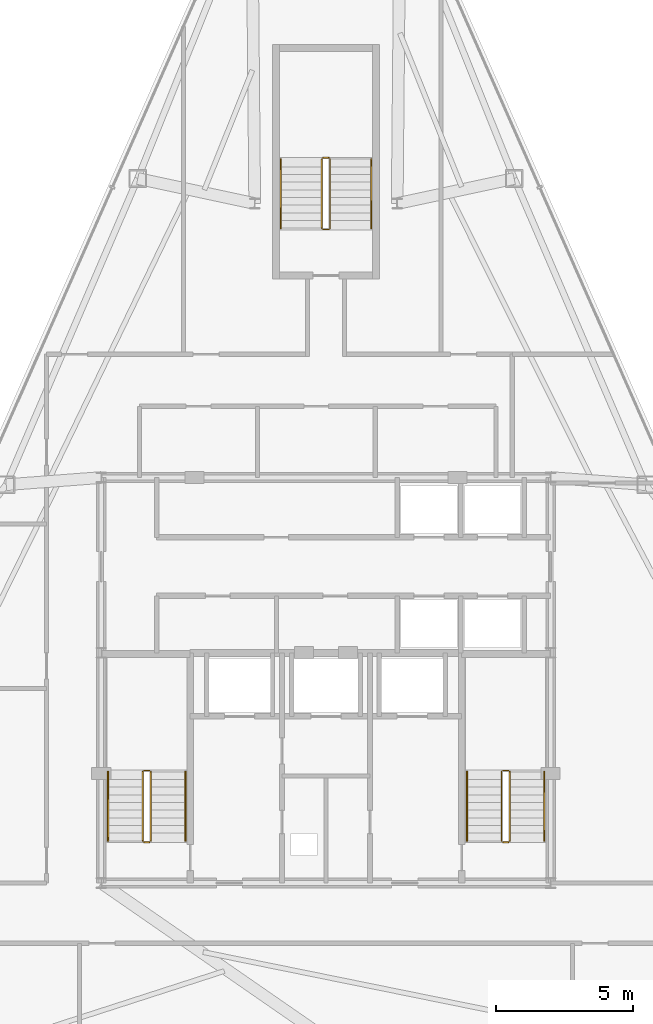
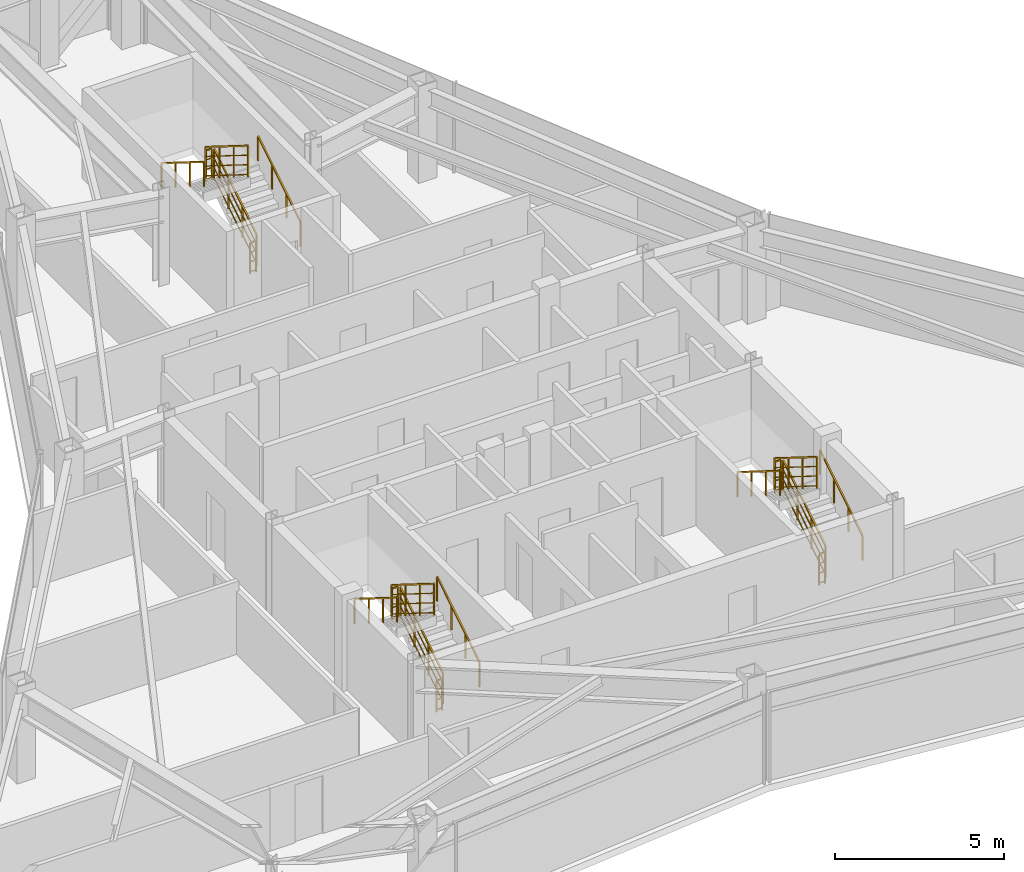
# One storey, part 12 of 12: 18 railings.
"""IFC4 building model written with IfcOpenShell, lengths in metres."""

from ifc_helpers import new_model, si_unit, direction, frame, origin, origin_2d, place, context, subcontext, project, spatial, rectangle, extrude, material, type_object, element, save


model = new_model("IFC4")

# Units and contexts
model_context = context("Model", 3, precision=1e-05, world=origin(), true_north=direction((0.0, 1.0)))
body_context = subcontext(model_context, "Body", "Model", "MODEL_VIEW")
ifc_project = project(units=[si_unit("LENGTHUNIT", "METRE"), si_unit("AREAUNIT", "SQUARE_METRE"), si_unit("VOLUMEUNIT", "CUBIC_METRE"), si_unit("PLANEANGLEUNIT", "RADIAN"), si_unit("MASSUNIT", "GRAM", prefix="KILO")], contexts=[model_context])

# Site, building, storey
site_placement = place(None, origin())
site = spatial("IfcSite", under=ifc_project, at=site_placement, CompositionType="ELEMENT")
building_placement = place(site_placement, origin())
building = spatial("IfcBuilding", under=site, at=building_placement, Name="Varakhsha Concourse Tower", CompositionType="ELEMENT")
storey_placement = place(building_placement, frame((0.0, 0.0, 272.5)))
storey = spatial("IfcBuildingStorey", under=building, at=storey_placement, Name="L77", CompositionType="ELEMENT", Elevation=272.5)

# Railings
ifc_material = material(Name="Brushed Austenitic Stainless Steel AISI 316", Category="steel")
railing_type_1 = type_object("IfcRailingType", Name="RL-STAIR-GUARD-1100", PredefinedType="GUARDRAIL", material=ifc_material)
railing_1_placement = place(storey_placement, frame((33.610107421875, 17.93994140625, 0.175048828125)))
element("IfcRailing", 1, at=railing_1_placement, inside=storey, type_object=railing_type_1, Name="L77 ST1 stair guard 1", PredefinedType="GUARDRAIL", context=body_context, shape_type="SweptSolid", body=[
    extrude(rectangle(XDim=0.048095703125, YDim=0.048095703125, at=origin_2d()), frame((0.0, 0.0, 1.1259765625), z_axis=(0.0, 0.848007534815, 0.529984170421), x_axis=(-1.0, 0.0, 0.0)), (0.0, 0.0, 1.0), 2.9716796875),
    extrude(rectangle(XDim=0.028076171875, YDim=0.028076171875, at=origin_2d()), frame((0.0, 0.0, 0.080078125), z_axis=(0.0, 0.848007534815, 0.529984170421), x_axis=(-1.0, 0.0, 0.0)), (0.0, 0.0, 1.0), 2.9716796875),
    extrude(rectangle(XDim=0.028076171875, YDim=0.028076171875, at=origin_2d()), frame((0.0, 0.0, 0.43701171875), z_axis=(0.0, 0.848007534815, 0.529984170421), x_axis=(-1.0, 0.0, 0.0)), (0.0, 0.0, 1.0), 2.9716796875),
    extrude(rectangle(XDim=0.028076171875, YDim=0.028076171875, at=origin_2d()), frame((0.0, 0.0, 0.781982421875), z_axis=(0.0, 0.848007534815, 0.529984170421), x_axis=(-1.0, 0.0, 0.0)), (0.0, 0.0, 1.0), 2.9716796875),
    extrude(rectangle(XDim=0.0419921875, YDim=0.0419921875, at=origin_2d()), origin(), (0.0, 0.0, 1.0), 1.101806640625),
    extrude(rectangle(XDim=0.0419921875, YDim=0.0419921875, at=origin_2d()), frame((0.0, 0.840087890625, 0.52490234375)), (0.0, 0.0, 1.0), 1.101806640625),
    extrude(rectangle(XDim=0.0419921875, YDim=0.0419921875, at=origin_2d()), frame((0.0, 1.679931640625, 1.050048828125)), (0.0, 0.0, 1.0), 1.101806640625),
    extrude(rectangle(XDim=0.0419921875, YDim=0.0419921875, at=origin_2d()), frame((0.0, 2.52001953125, 1.574951171875)), (0.0, 0.0, 1.0), 1.101806640625),
])
railing_2_placement = place(storey_placement, frame((33.56005859375, 20.510009765625, 1.75)))
element("IfcRailing", 2, at=railing_2_placement, inside=storey, type_object=railing_type_1, Name="L77 ST1 stair guard 2", PredefinedType="GUARDRAIL", context=body_context, shape_type="SweptSolid", body=[
    extrude(rectangle(XDim=0.048095703125, YDim=0.048095703125, at=origin_2d()), frame((0.0, 0.0, 1.1259765625), z_axis=(-1.0, 0.0, 0.0), x_axis=(0.0, -1.0, 0.0)), (0.0, 0.0, 1.0), 0.199951171875),
    extrude(rectangle(XDim=0.028076171875, YDim=0.028076171875, at=origin_2d()), frame((0.0, 0.0, 0.080078125), z_axis=(-1.0, 0.0, 0.0), x_axis=(0.0, -1.0, 0.0)), (0.0, 0.0, 1.0), 0.199951171875),
    extrude(rectangle(XDim=0.028076171875, YDim=0.028076171875, at=origin_2d()), frame((0.0, 0.0, 0.43701171875), z_axis=(-1.0, 0.0, 0.0), x_axis=(0.0, -1.0, 0.0)), (0.0, 0.0, 1.0), 0.199951171875),
    extrude(rectangle(XDim=0.028076171875, YDim=0.028076171875, at=origin_2d()), frame((0.0, 0.0, 0.781982421875), z_axis=(-1.0, 0.0, 0.0), x_axis=(0.0, -1.0, 0.0)), (0.0, 0.0, 1.0), 0.199951171875),
    extrude(rectangle(XDim=0.0419921875, YDim=0.0419921875, at=origin_2d()), origin(), (0.0, 0.0, 1.0), 1.101806640625),
    extrude(rectangle(XDim=0.0419921875, YDim=0.0419921875, at=origin_2d()), frame((-0.199951171875, 0.0, 0.0)), (0.0, 0.0, 1.0), 1.101806640625),
])
railing_3_placement = place(storey_placement, frame((33.31005859375, 20.4599609375, 1.925048828125)))
element("IfcRailing", 3, at=railing_3_placement, inside=storey, type_object=railing_type_1, Name="L77 ST1 stair guard 3", PredefinedType="GUARDRAIL", context=body_context, shape_type="SweptSolid", body=[
    extrude(rectangle(XDim=0.048095703125, YDim=0.048095703125, at=origin_2d()), frame((0.0, 0.0, 1.1259765625), z_axis=(0.0, -0.848007534815, 0.529984170421), x_axis=(1.0, 0.0, 0.0)), (0.0, 0.0, 1.0), 2.9716796875),
    extrude(rectangle(XDim=0.028076171875, YDim=0.028076171875, at=origin_2d()), frame((0.0, 0.0, 0.080078125), z_axis=(0.0, -0.848007534815, 0.529984170421), x_axis=(1.0, 0.0, 0.0)), (0.0, 0.0, 1.0), 2.9716796875),
    extrude(rectangle(XDim=0.028076171875, YDim=0.028076171875, at=origin_2d()), frame((0.0, 0.0, 0.43701171875), z_axis=(0.0, -0.848007534815, 0.529984170421), x_axis=(1.0, 0.0, 0.0)), (0.0, 0.0, 1.0), 2.9716796875),
    extrude(rectangle(XDim=0.028076171875, YDim=0.028076171875, at=origin_2d()), frame((0.0, 0.0, 0.781982421875), z_axis=(0.0, -0.848007534815, 0.529984170421), x_axis=(1.0, 0.0, 0.0)), (0.0, 0.0, 1.0), 2.9716796875),
    extrude(rectangle(XDim=0.0419921875, YDim=0.0419921875, at=origin_2d()), origin(), (0.0, 0.0, 1.0), 1.101806640625),
    extrude(rectangle(XDim=0.0419921875, YDim=0.0419921875, at=origin_2d()), frame((0.0, -0.840087890625, 0.52490234375)), (0.0, 0.0, 1.0), 1.101806640625),
    extrude(rectangle(XDim=0.0419921875, YDim=0.0419921875, at=origin_2d()), frame((0.0, -1.679931640625, 1.050048828125)), (0.0, 0.0, 1.0), 1.101806640625),
    extrude(rectangle(XDim=0.0419921875, YDim=0.0419921875, at=origin_2d()), frame((0.0, -2.52001953125, 1.574951171875)), (0.0, 0.0, 1.0), 1.101806640625),
])
railing_4_placement = place(storey_placement, frame((33.56005859375, 17.889892578125, 0.0)))
element("IfcRailing", 4, at=railing_4_placement, inside=storey, type_object=railing_type_1, Name="L77 ST1 stair guard 4", PredefinedType="GUARDRAIL", context=body_context, shape_type="SweptSolid", body=[
    extrude(rectangle(XDim=0.048095703125, YDim=0.048095703125, at=origin_2d()), frame((0.0, 0.0, 1.1259765625), z_axis=(-1.0, 0.0, 0.0), x_axis=(0.0, -1.0, 0.0)), (0.0, 0.0, 1.0), 0.199951171875),
    extrude(rectangle(XDim=0.028076171875, YDim=0.028076171875, at=origin_2d()), frame((0.0, 0.0, 0.080078125), z_axis=(-1.0, 0.0, 0.0), x_axis=(0.0, -1.0, 0.0)), (0.0, 0.0, 1.0), 0.199951171875),
    extrude(rectangle(XDim=0.028076171875, YDim=0.028076171875, at=origin_2d()), frame((0.0, 0.0, 0.43701171875), z_axis=(-1.0, 0.0, 0.0), x_axis=(0.0, -1.0, 0.0)), (0.0, 0.0, 1.0), 0.199951171875),
    extrude(rectangle(XDim=0.028076171875, YDim=0.028076171875, at=origin_2d()), frame((0.0, 0.0, 0.781982421875), z_axis=(-1.0, 0.0, 0.0), x_axis=(0.0, -1.0, 0.0)), (0.0, 0.0, 1.0), 0.199951171875),
    extrude(rectangle(XDim=0.0419921875, YDim=0.0419921875, at=origin_2d()), origin(), (0.0, 0.0, 1.0), 1.101806640625),
    extrude(rectangle(XDim=0.0419921875, YDim=0.0419921875, at=origin_2d()), frame((-0.199951171875, 0.0, 0.0)), (0.0, 0.0, 1.0), 1.101806640625),
])
railing_5_placement = place(storey_placement, frame((46.7099609375, 17.93994140625, 0.175048828125)))
element("IfcRailing", 5, at=railing_5_placement, inside=storey, type_object=railing_type_1, Name="L77 ST2 stair guard 1", PredefinedType="GUARDRAIL", context=body_context, shape_type="SweptSolid", body=[
    extrude(rectangle(XDim=0.048095703125, YDim=0.048095703125, at=origin_2d()), frame((0.0, 0.0, 1.1259765625), z_axis=(0.0, 0.848007534815, 0.529984170421), x_axis=(-1.0, 0.0, 0.0)), (0.0, 0.0, 1.0), 2.9716796875),
    extrude(rectangle(XDim=0.028076171875, YDim=0.028076171875, at=origin_2d()), frame((0.0, 0.0, 0.080078125), z_axis=(0.0, 0.848007534815, 0.529984170421), x_axis=(-1.0, 0.0, 0.0)), (0.0, 0.0, 1.0), 2.9716796875),
    extrude(rectangle(XDim=0.028076171875, YDim=0.028076171875, at=origin_2d()), frame((0.0, 0.0, 0.43701171875), z_axis=(0.0, 0.848007534815, 0.529984170421), x_axis=(-1.0, 0.0, 0.0)), (0.0, 0.0, 1.0), 2.9716796875),
    extrude(rectangle(XDim=0.028076171875, YDim=0.028076171875, at=origin_2d()), frame((0.0, 0.0, 0.781982421875), z_axis=(0.0, 0.848007534815, 0.529984170421), x_axis=(-1.0, 0.0, 0.0)), (0.0, 0.0, 1.0), 2.9716796875),
    extrude(rectangle(XDim=0.0419921875, YDim=0.0419921875, at=origin_2d()), origin(), (0.0, 0.0, 1.0), 1.101806640625),
    extrude(rectangle(XDim=0.0419921875, YDim=0.0419921875, at=origin_2d()), frame((0.0, 0.840087890625, 0.52490234375)), (0.0, 0.0, 1.0), 1.101806640625),
    extrude(rectangle(XDim=0.0419921875, YDim=0.0419921875, at=origin_2d()), frame((0.0, 1.679931640625, 1.050048828125)), (0.0, 0.0, 1.0), 1.101806640625),
    extrude(rectangle(XDim=0.0419921875, YDim=0.0419921875, at=origin_2d()), frame((0.0, 2.52001953125, 1.574951171875)), (0.0, 0.0, 1.0), 1.101806640625),
])
railing_6_placement = place(storey_placement, frame((46.659912109375, 20.510009765625, 1.75)))
element("IfcRailing", 6, at=railing_6_placement, inside=storey, type_object=railing_type_1, Name="L77 ST2 stair guard 2", PredefinedType="GUARDRAIL", context=body_context, shape_type="SweptSolid", body=[
    extrude(rectangle(XDim=0.048095703125, YDim=0.048095703125, at=origin_2d()), frame((0.0, 0.0, 1.1259765625), z_axis=(-1.0, 0.0, 0.0), x_axis=(0.0, -1.0, 0.0)), (0.0, 0.0, 1.0), 0.199951171875),
    extrude(rectangle(XDim=0.028076171875, YDim=0.028076171875, at=origin_2d()), frame((0.0, 0.0, 0.080078125), z_axis=(-1.0, 0.0, 0.0), x_axis=(0.0, -1.0, 0.0)), (0.0, 0.0, 1.0), 0.199951171875),
    extrude(rectangle(XDim=0.028076171875, YDim=0.028076171875, at=origin_2d()), frame((0.0, 0.0, 0.43701171875), z_axis=(-1.0, 0.0, 0.0), x_axis=(0.0, -1.0, 0.0)), (0.0, 0.0, 1.0), 0.199951171875),
    extrude(rectangle(XDim=0.028076171875, YDim=0.028076171875, at=origin_2d()), frame((0.0, 0.0, 0.781982421875), z_axis=(-1.0, 0.0, 0.0), x_axis=(0.0, -1.0, 0.0)), (0.0, 0.0, 1.0), 0.199951171875),
    extrude(rectangle(XDim=0.0419921875, YDim=0.0419921875, at=origin_2d()), origin(), (0.0, 0.0, 1.0), 1.101806640625),
    extrude(rectangle(XDim=0.0419921875, YDim=0.0419921875, at=origin_2d()), frame((-0.199951171875, 0.0, 0.0)), (0.0, 0.0, 1.0), 1.101806640625),
])
railing_7_placement = place(storey_placement, frame((46.409912109375, 20.4599609375, 1.925048828125)))
element("IfcRailing", 7, at=railing_7_placement, inside=storey, type_object=railing_type_1, Name="L77 ST2 stair guard 3", PredefinedType="GUARDRAIL", context=body_context, shape_type="SweptSolid", body=[
    extrude(rectangle(XDim=0.048095703125, YDim=0.048095703125, at=origin_2d()), frame((0.0, 0.0, 1.1259765625), z_axis=(0.0, -0.848007534815, 0.529984170421), x_axis=(1.0, 0.0, 0.0)), (0.0, 0.0, 1.0), 2.9716796875),
    extrude(rectangle(XDim=0.028076171875, YDim=0.028076171875, at=origin_2d()), frame((0.0, 0.0, 0.080078125), z_axis=(0.0, -0.848007534815, 0.529984170421), x_axis=(1.0, 0.0, 0.0)), (0.0, 0.0, 1.0), 2.9716796875),
    extrude(rectangle(XDim=0.028076171875, YDim=0.028076171875, at=origin_2d()), frame((0.0, 0.0, 0.43701171875), z_axis=(0.0, -0.848007534815, 0.529984170421), x_axis=(1.0, 0.0, 0.0)), (0.0, 0.0, 1.0), 2.9716796875),
    extrude(rectangle(XDim=0.028076171875, YDim=0.028076171875, at=origin_2d()), frame((0.0, 0.0, 0.781982421875), z_axis=(0.0, -0.848007534815, 0.529984170421), x_axis=(1.0, 0.0, 0.0)), (0.0, 0.0, 1.0), 2.9716796875),
    extrude(rectangle(XDim=0.0419921875, YDim=0.0419921875, at=origin_2d()), origin(), (0.0, 0.0, 1.0), 1.101806640625),
    extrude(rectangle(XDim=0.0419921875, YDim=0.0419921875, at=origin_2d()), frame((0.0, -0.840087890625, 0.52490234375)), (0.0, 0.0, 1.0), 1.101806640625),
    extrude(rectangle(XDim=0.0419921875, YDim=0.0419921875, at=origin_2d()), frame((0.0, -1.679931640625, 1.050048828125)), (0.0, 0.0, 1.0), 1.101806640625),
    extrude(rectangle(XDim=0.0419921875, YDim=0.0419921875, at=origin_2d()), frame((0.0, -2.52001953125, 1.574951171875)), (0.0, 0.0, 1.0), 1.101806640625),
])
railing_8_placement = place(storey_placement, frame((46.659912109375, 17.889892578125, 0.0)))
element("IfcRailing", 8, at=railing_8_placement, inside=storey, type_object=railing_type_1, Name="L77 ST2 stair guard 4", PredefinedType="GUARDRAIL", context=body_context, shape_type="SweptSolid", body=[
    extrude(rectangle(XDim=0.048095703125, YDim=0.048095703125, at=origin_2d()), frame((0.0, 0.0, 1.1259765625), z_axis=(-1.0, 0.0, 0.0), x_axis=(0.0, -1.0, 0.0)), (0.0, 0.0, 1.0), 0.199951171875),
    extrude(rectangle(XDim=0.028076171875, YDim=0.028076171875, at=origin_2d()), frame((0.0, 0.0, 0.080078125), z_axis=(-1.0, 0.0, 0.0), x_axis=(0.0, -1.0, 0.0)), (0.0, 0.0, 1.0), 0.199951171875),
    extrude(rectangle(XDim=0.028076171875, YDim=0.028076171875, at=origin_2d()), frame((0.0, 0.0, 0.43701171875), z_axis=(-1.0, 0.0, 0.0), x_axis=(0.0, -1.0, 0.0)), (0.0, 0.0, 1.0), 0.199951171875),
    extrude(rectangle(XDim=0.028076171875, YDim=0.028076171875, at=origin_2d()), frame((0.0, 0.0, 0.781982421875), z_axis=(-1.0, 0.0, 0.0), x_axis=(0.0, -1.0, 0.0)), (0.0, 0.0, 1.0), 0.199951171875),
    extrude(rectangle(XDim=0.0419921875, YDim=0.0419921875, at=origin_2d()), origin(), (0.0, 0.0, 1.0), 1.101806640625),
    extrude(rectangle(XDim=0.0419921875, YDim=0.0419921875, at=origin_2d()), frame((-0.199951171875, 0.0, 0.0)), (0.0, 0.0, 1.0), 1.101806640625),
])
railing_9_placement = place(storey_placement, frame((40.14990234375, 40.300048828125, 0.175048828125)))
element("IfcRailing", 9, at=railing_9_placement, inside=storey, type_object=railing_type_1, Name="L77 ST5 stair guard 1", PredefinedType="GUARDRAIL", context=body_context, shape_type="SweptSolid", body=[
    extrude(rectangle(XDim=0.048095703125, YDim=0.048095703125, at=origin_2d()), frame((0.0, 0.0, 1.1259765625), z_axis=(0.0, 0.848007534815, 0.529984170421), x_axis=(-1.0, 0.0, 0.0)), (0.0, 0.0, 1.0), 2.9716796875),
    extrude(rectangle(XDim=0.028076171875, YDim=0.028076171875, at=origin_2d()), frame((0.0, 0.0, 0.080078125), z_axis=(0.0, 0.848007534815, 0.529984170421), x_axis=(-1.0, 0.0, 0.0)), (0.0, 0.0, 1.0), 2.9716796875),
    extrude(rectangle(XDim=0.028076171875, YDim=0.028076171875, at=origin_2d()), frame((0.0, 0.0, 0.43701171875), z_axis=(0.0, 0.848007534815, 0.529984170421), x_axis=(-1.0, 0.0, 0.0)), (0.0, 0.0, 1.0), 2.9716796875),
    extrude(rectangle(XDim=0.028076171875, YDim=0.028076171875, at=origin_2d()), frame((0.0, 0.0, 0.781982421875), z_axis=(0.0, 0.848007534815, 0.529984170421), x_axis=(-1.0, 0.0, 0.0)), (0.0, 0.0, 1.0), 2.9716796875),
    extrude(rectangle(XDim=0.0419921875, YDim=0.0419921875, at=origin_2d()), origin(), (0.0, 0.0, 1.0), 1.101806640625),
    extrude(rectangle(XDim=0.0419921875, YDim=0.0419921875, at=origin_2d()), frame((0.0, 0.840087890625, 0.52490234375)), (0.0, 0.0, 1.0), 1.101806640625),
    extrude(rectangle(XDim=0.0419921875, YDim=0.0419921875, at=origin_2d()), frame((0.0, 1.679931640625, 1.050048828125)), (0.0, 0.0, 1.0), 1.101806640625),
    extrude(rectangle(XDim=0.0419921875, YDim=0.0419921875, at=origin_2d()), frame((0.0, 2.52001953125, 1.574951171875)), (0.0, 0.0, 1.0), 1.101806640625),
])
railing_10_placement = place(storey_placement, frame((40.10009765625, 42.8701171875, 1.75)))
element("IfcRailing", 10, at=railing_10_placement, inside=storey, type_object=railing_type_1, Name="L77 ST5 stair guard 2", PredefinedType="GUARDRAIL", context=body_context, shape_type="SweptSolid", body=[
    extrude(rectangle(XDim=0.048095703125, YDim=0.048095703125, at=origin_2d()), frame((0.0, 0.0, 1.1259765625), z_axis=(-1.0, 0.0, 0.0), x_axis=(0.0, -1.0, 0.0)), (0.0, 0.0, 1.0), 0.2001953125),
    extrude(rectangle(XDim=0.028076171875, YDim=0.028076171875, at=origin_2d()), frame((0.0, 0.0, 0.080078125), z_axis=(-1.0, 0.0, 0.0), x_axis=(0.0, -1.0, 0.0)), (0.0, 0.0, 1.0), 0.2001953125),
    extrude(rectangle(XDim=0.028076171875, YDim=0.028076171875, at=origin_2d()), frame((0.0, 0.0, 0.43701171875), z_axis=(-1.0, 0.0, 0.0), x_axis=(0.0, -1.0, 0.0)), (0.0, 0.0, 1.0), 0.2001953125),
    extrude(rectangle(XDim=0.028076171875, YDim=0.028076171875, at=origin_2d()), frame((0.0, 0.0, 0.781982421875), z_axis=(-1.0, 0.0, 0.0), x_axis=(0.0, -1.0, 0.0)), (0.0, 0.0, 1.0), 0.2001953125),
    extrude(rectangle(XDim=0.0419921875, YDim=0.0419921875, at=origin_2d()), origin(), (0.0, 0.0, 1.0), 1.101806640625),
    extrude(rectangle(XDim=0.0419921875, YDim=0.0419921875, at=origin_2d()), frame((-0.2001953125, 0.0, 0.0)), (0.0, 0.0, 1.0), 1.101806640625),
])
railing_11_placement = place(storey_placement, frame((39.85009765625, 42.820068359375, 1.925048828125)))
element("IfcRailing", 11, at=railing_11_placement, inside=storey, type_object=railing_type_1, Name="L77 ST5 stair guard 3", PredefinedType="GUARDRAIL", context=body_context, shape_type="SweptSolid", body=[
    extrude(rectangle(XDim=0.048095703125, YDim=0.048095703125, at=origin_2d()), frame((0.0, 0.0, 1.1259765625), z_axis=(0.0, -0.848007534815, 0.529984170421), x_axis=(1.0, 0.0, 0.0)), (0.0, 0.0, 1.0), 2.9716796875),
    extrude(rectangle(XDim=0.028076171875, YDim=0.028076171875, at=origin_2d()), frame((0.0, 0.0, 0.080078125), z_axis=(0.0, -0.848007534815, 0.529984170421), x_axis=(1.0, 0.0, 0.0)), (0.0, 0.0, 1.0), 2.9716796875),
    extrude(rectangle(XDim=0.028076171875, YDim=0.028076171875, at=origin_2d()), frame((0.0, 0.0, 0.43701171875), z_axis=(0.0, -0.848007534815, 0.529984170421), x_axis=(1.0, 0.0, 0.0)), (0.0, 0.0, 1.0), 2.9716796875),
    extrude(rectangle(XDim=0.028076171875, YDim=0.028076171875, at=origin_2d()), frame((0.0, 0.0, 0.781982421875), z_axis=(0.0, -0.848007534815, 0.529984170421), x_axis=(1.0, 0.0, 0.0)), (0.0, 0.0, 1.0), 2.9716796875),
    extrude(rectangle(XDim=0.0419921875, YDim=0.0419921875, at=origin_2d()), origin(), (0.0, 0.0, 1.0), 1.101806640625),
    extrude(rectangle(XDim=0.0419921875, YDim=0.0419921875, at=origin_2d()), frame((0.0, -0.840087890625, 0.52490234375)), (0.0, 0.0, 1.0), 1.101806640625),
    extrude(rectangle(XDim=0.0419921875, YDim=0.0419921875, at=origin_2d()), frame((0.0, -1.679931640625, 1.050048828125)), (0.0, 0.0, 1.0), 1.101806640625),
    extrude(rectangle(XDim=0.0419921875, YDim=0.0419921875, at=origin_2d()), frame((0.0, -2.52001953125, 1.574951171875)), (0.0, 0.0, 1.0), 1.101806640625),
])
railing_12_placement = place(storey_placement, frame((40.10009765625, 40.25, 0.0)))
element("IfcRailing", 12, at=railing_12_placement, inside=storey, type_object=railing_type_1, Name="L77 ST5 stair guard 4", PredefinedType="GUARDRAIL", context=body_context, shape_type="SweptSolid", body=[
    extrude(rectangle(XDim=0.048095703125, YDim=0.048095703125, at=origin_2d()), frame((0.0, 0.0, 1.1259765625), z_axis=(-1.0, 0.0, 0.0), x_axis=(0.0, -1.0, 0.0)), (0.0, 0.0, 1.0), 0.2001953125),
    extrude(rectangle(XDim=0.028076171875, YDim=0.028076171875, at=origin_2d()), frame((0.0, 0.0, 0.080078125), z_axis=(-1.0, 0.0, 0.0), x_axis=(0.0, -1.0, 0.0)), (0.0, 0.0, 1.0), 0.2001953125),
    extrude(rectangle(XDim=0.028076171875, YDim=0.028076171875, at=origin_2d()), frame((0.0, 0.0, 0.43701171875), z_axis=(-1.0, 0.0, 0.0), x_axis=(0.0, -1.0, 0.0)), (0.0, 0.0, 1.0), 0.2001953125),
    extrude(rectangle(XDim=0.028076171875, YDim=0.028076171875, at=origin_2d()), frame((0.0, 0.0, 0.781982421875), z_axis=(-1.0, 0.0, 0.0), x_axis=(0.0, -1.0, 0.0)), (0.0, 0.0, 1.0), 0.2001953125),
    extrude(rectangle(XDim=0.0419921875, YDim=0.0419921875, at=origin_2d()), origin(), (0.0, 0.0, 1.0), 1.101806640625),
    extrude(rectangle(XDim=0.0419921875, YDim=0.0419921875, at=origin_2d()), frame((-0.2001953125, 0.0, 0.0)), (0.0, 0.0, 1.0), 1.101806640625),
])
railing_type_2 = type_object("IfcRailingType", Name="RL-STAIR-RAIL-915", PredefinedType="HANDRAIL", material=ifc_material)
railing_13_placement = place(storey_placement, frame((34.8701171875, 17.93994140625, 0.35009765625)))
element("IfcRailing", 13, at=railing_13_placement, inside=storey, type_object=railing_type_2, Name="L77 ST1 stair handrail 1", PredefinedType="HANDRAIL", context=body_context, shape_type="SweptSolid", body=[
    extrude(rectangle(XDim=0.048095703125, YDim=0.048095703125, at=origin_2d()), frame((0.0, 0.0, 0.89111328125), z_axis=(0.0, 0.848007534815, 0.529984170421), x_axis=(-1.0, 0.0, 0.0)), (0.0, 0.0, 1.0), 2.9716796875),
    extrude(rectangle(XDim=0.0419921875, YDim=0.0419921875, at=origin_2d()), origin(), (0.0, 0.0, 1.0), 0.866943359375),
    extrude(rectangle(XDim=0.0419921875, YDim=0.0419921875, at=origin_2d()), frame((0.0, 0.840087890625, 0.52490234375)), (0.0, 0.0, 1.0), 0.866943359375),
    extrude(rectangle(XDim=0.0419921875, YDim=0.0419921875, at=origin_2d()), frame((0.0, 1.679931640625, 1.050048828125)), (0.0, 0.0, 1.0), 0.866943359375),
    extrude(rectangle(XDim=0.0419921875, YDim=0.0419921875, at=origin_2d()), frame((0.0, 2.52001953125, 1.574951171875)), (0.0, 0.0, 1.0), 0.866943359375),
])
railing_14_placement = place(storey_placement, frame((32.050048828125, 20.4599609375, 2.10009765625)))
element("IfcRailing", 14, at=railing_14_placement, inside=storey, type_object=railing_type_2, Name="L77 ST1 stair handrail 2", PredefinedType="HANDRAIL", context=body_context, shape_type="SweptSolid", body=[
    extrude(rectangle(XDim=0.048095703125, YDim=0.048095703125, at=origin_2d()), frame((0.0, 0.0, 0.89111328125), z_axis=(0.0, -0.848007534815, 0.529984170421), x_axis=(1.0, 0.0, 0.0)), (0.0, 0.0, 1.0), 2.9716796875),
    extrude(rectangle(XDim=0.0419921875, YDim=0.0419921875, at=origin_2d()), origin(), (0.0, 0.0, 1.0), 0.866943359375),
    extrude(rectangle(XDim=0.0419921875, YDim=0.0419921875, at=origin_2d()), frame((0.0, -0.840087890625, 0.52490234375)), (0.0, 0.0, 1.0), 0.866943359375),
    extrude(rectangle(XDim=0.0419921875, YDim=0.0419921875, at=origin_2d()), frame((0.0, -1.679931640625, 1.050048828125)), (0.0, 0.0, 1.0), 0.866943359375),
    extrude(rectangle(XDim=0.0419921875, YDim=0.0419921875, at=origin_2d()), frame((0.0, -2.52001953125, 1.574951171875)), (0.0, 0.0, 1.0), 0.866943359375),
])
railing_15_placement = place(storey_placement, frame((47.969970703125, 17.93994140625, 0.35009765625)))
element("IfcRailing", 15, at=railing_15_placement, inside=storey, type_object=railing_type_2, Name="L77 ST2 stair handrail 1", PredefinedType="HANDRAIL", context=body_context, shape_type="SweptSolid", body=[
    extrude(rectangle(XDim=0.048095703125, YDim=0.048095703125, at=origin_2d()), frame((0.0, 0.0, 0.89111328125), z_axis=(0.0, 0.848007534815, 0.529984170421), x_axis=(-1.0, 0.0, 0.0)), (0.0, 0.0, 1.0), 2.9716796875),
    extrude(rectangle(XDim=0.0419921875, YDim=0.0419921875, at=origin_2d()), origin(), (0.0, 0.0, 1.0), 0.866943359375),
    extrude(rectangle(XDim=0.0419921875, YDim=0.0419921875, at=origin_2d()), frame((0.0, 0.840087890625, 0.52490234375)), (0.0, 0.0, 1.0), 0.866943359375),
    extrude(rectangle(XDim=0.0419921875, YDim=0.0419921875, at=origin_2d()), frame((0.0, 1.679931640625, 1.050048828125)), (0.0, 0.0, 1.0), 0.866943359375),
    extrude(rectangle(XDim=0.0419921875, YDim=0.0419921875, at=origin_2d()), frame((0.0, 2.52001953125, 1.574951171875)), (0.0, 0.0, 1.0), 0.866943359375),
])
railing_16_placement = place(storey_placement, frame((45.14990234375, 20.4599609375, 2.10009765625)))
element("IfcRailing", 16, at=railing_16_placement, inside=storey, type_object=railing_type_2, Name="L77 ST2 stair handrail 2", PredefinedType="HANDRAIL", context=body_context, shape_type="SweptSolid", body=[
    extrude(rectangle(XDim=0.048095703125, YDim=0.048095703125, at=origin_2d()), frame((0.0, 0.0, 0.89111328125), z_axis=(0.0, -0.848007534815, 0.529984170421), x_axis=(1.0, 0.0, 0.0)), (0.0, 0.0, 1.0), 2.9716796875),
    extrude(rectangle(XDim=0.0419921875, YDim=0.0419921875, at=origin_2d()), origin(), (0.0, 0.0, 1.0), 0.866943359375),
    extrude(rectangle(XDim=0.0419921875, YDim=0.0419921875, at=origin_2d()), frame((0.0, -0.840087890625, 0.52490234375)), (0.0, 0.0, 1.0), 0.866943359375),
    extrude(rectangle(XDim=0.0419921875, YDim=0.0419921875, at=origin_2d()), frame((0.0, -1.679931640625, 1.050048828125)), (0.0, 0.0, 1.0), 0.866943359375),
    extrude(rectangle(XDim=0.0419921875, YDim=0.0419921875, at=origin_2d()), frame((0.0, -2.52001953125, 1.574951171875)), (0.0, 0.0, 1.0), 0.866943359375),
])
railing_17_placement = place(storey_placement, frame((41.64990234375, 40.300048828125, 0.35009765625)))
element("IfcRailing", 17, at=railing_17_placement, inside=storey, type_object=railing_type_2, Name="L77 ST5 stair handrail 1", PredefinedType="HANDRAIL", context=body_context, shape_type="SweptSolid", body=[
    extrude(rectangle(XDim=0.048095703125, YDim=0.048095703125, at=origin_2d()), frame((0.0, 0.0, 0.89111328125), z_axis=(0.0, 0.848007534815, 0.529984170421), x_axis=(-1.0, 0.0, 0.0)), (0.0, 0.0, 1.0), 2.9716796875),
    extrude(rectangle(XDim=0.0419921875, YDim=0.0419921875, at=origin_2d()), origin(), (0.0, 0.0, 1.0), 0.866943359375),
    extrude(rectangle(XDim=0.0419921875, YDim=0.0419921875, at=origin_2d()), frame((0.0, 0.840087890625, 0.52490234375)), (0.0, 0.0, 1.0), 0.866943359375),
    extrude(rectangle(XDim=0.0419921875, YDim=0.0419921875, at=origin_2d()), frame((0.0, 1.679931640625, 1.050048828125)), (0.0, 0.0, 1.0), 0.866943359375),
    extrude(rectangle(XDim=0.0419921875, YDim=0.0419921875, at=origin_2d()), frame((0.0, 2.52001953125, 1.574951171875)), (0.0, 0.0, 1.0), 0.866943359375),
])
railing_18_placement = place(storey_placement, frame((38.35009765625, 42.820068359375, 2.10009765625)))
element("IfcRailing", 18, at=railing_18_placement, inside=storey, type_object=railing_type_2, Name="L77 ST5 stair handrail 2", PredefinedType="HANDRAIL", context=body_context, shape_type="SweptSolid", body=[
    extrude(rectangle(XDim=0.048095703125, YDim=0.048095703125, at=origin_2d()), frame((0.0, 0.0, 0.89111328125), z_axis=(0.0, -0.848007534815, 0.529984170421), x_axis=(1.0, 0.0, 0.0)), (0.0, 0.0, 1.0), 2.9716796875),
    extrude(rectangle(XDim=0.0419921875, YDim=0.0419921875, at=origin_2d()), origin(), (0.0, 0.0, 1.0), 0.866943359375),
    extrude(rectangle(XDim=0.0419921875, YDim=0.0419921875, at=origin_2d()), frame((0.0, -0.840087890625, 0.52490234375)), (0.0, 0.0, 1.0), 0.866943359375),
    extrude(rectangle(XDim=0.0419921875, YDim=0.0419921875, at=origin_2d()), frame((0.0, -1.679931640625, 1.050048828125)), (0.0, 0.0, 1.0), 0.866943359375),
    extrude(rectangle(XDim=0.0419921875, YDim=0.0419921875, at=origin_2d()), frame((0.0, -2.52001953125, 1.574951171875)), (0.0, 0.0, 1.0), 0.866943359375),
])

save(model, "model.ifc")
